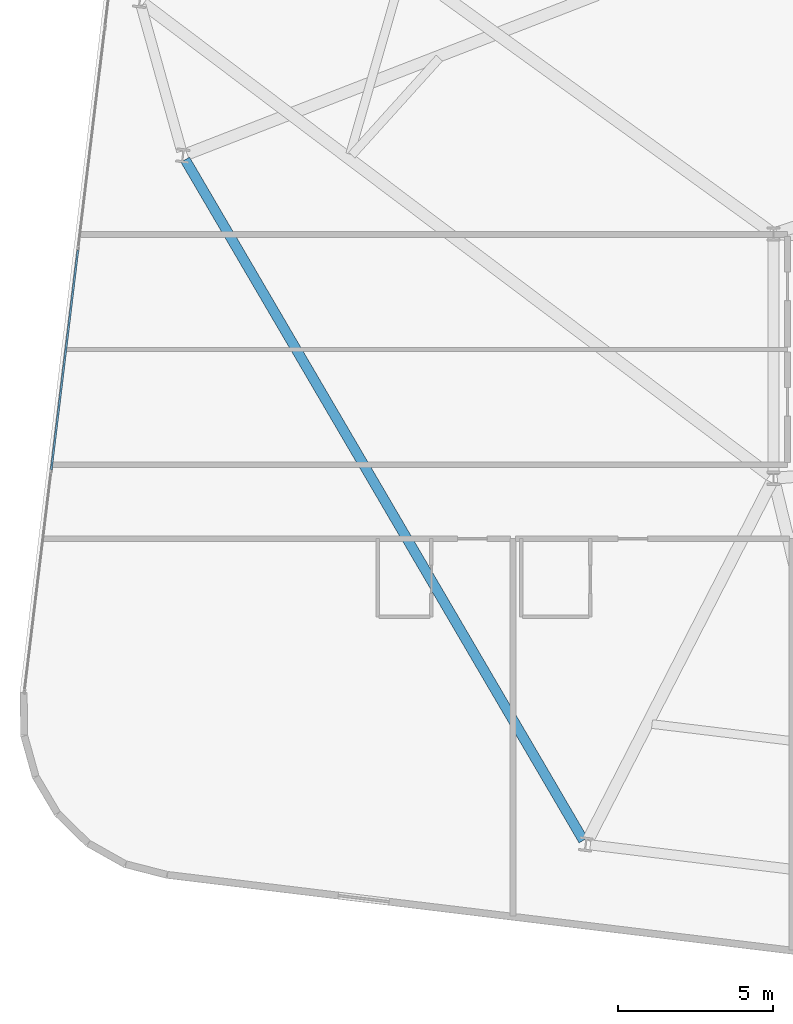
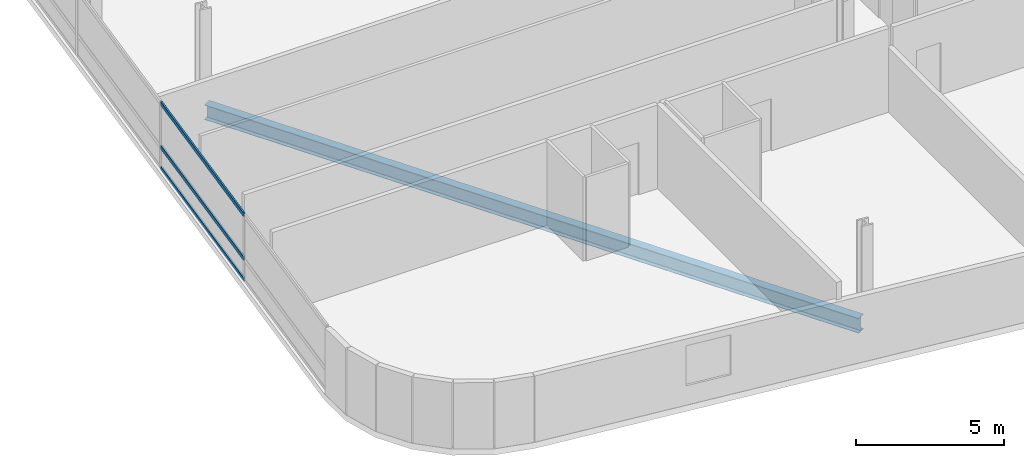
# One storey, part 5 of 26: 3 members, 1 beam, 1 element without a shape of its own.
"""IFC4 building model written with IfcOpenShell, lengths in metres."""

from ifc_helpers import new_model, si_unit, direction, frame, origin, origin_2d, place, context, subcontext, project, spatial, hollow_rectangle, i_section, extrude, material, layer, layer_set, material_profile, profile_set, type_object, element, aggregate, save


model = new_model("IFC4")

# Units and contexts
model_context = context("Model", 3, precision=1e-05, world=origin(), true_north=direction((0.0, 1.0)))
body_context = subcontext(model_context, "Body", "Model", "MODEL_VIEW")
ifc_project = project(units=[si_unit("LENGTHUNIT", "METRE"), si_unit("AREAUNIT", "SQUARE_METRE"), si_unit("VOLUMEUNIT", "CUBIC_METRE"), si_unit("PLANEANGLEUNIT", "RADIAN"), si_unit("MASSUNIT", "GRAM", prefix="KILO")], contexts=[model_context])

# Site, building, storey
site_placement = place(None, origin())
site = spatial("IfcSite", under=ifc_project, at=site_placement, CompositionType="ELEMENT")
building_placement = place(site_placement, origin())
building = spatial("IfcBuilding", under=site, at=building_placement, Name="Varnelok Gate Tower", CompositionType="ELEMENT")
storey_placement = place(building_placement, frame((0.0, 0.0, 147.60009765625)))
storey = spatial("IfcBuildingStorey", under=building, at=storey_placement, Name="L37", CompositionType="ELEMENT", Elevation=147.60009765625)

# Beam
ifc_material_1 = material(Name="Structural Steel ASTM A992 Grade 50", Category="steel")
ifc_material_profile_1 = material_profile(ifc_material_1, i_section(OverallWidth=0.323974609375, OverallDepth=0.611083984375, WebThickness=0.0126953125, FlangeThickness=0.01904296875, FilletRadius=0.01806640625, at=origin_2d()), Name="W24X104")
ifc_profile_set_1 = profile_set([ifc_material_profile_1], Name="Structural Steel ASTM A992 Grade 50")
beam_type = type_object("IfcBeamType", Name="BM-SPN-W24X104", PredefinedType="SPANDREL", material=ifc_profile_set_1)
beam_placement = place(storey_placement, frame((5.43115234375, 29.072021484375, -0.5556640625), z_axis=(0.504960797965, -0.863142278259, 0.0), x_axis=(0.863142278259, 0.504960797965, 0.0)))
element("IfcBeam", 1, at=beam_placement, inside=storey, type_object=beam_type, Name="L37 Perimeter Spandrel Beam 16", PredefinedType="SPANDREL", context=body_context, shape_type="SweptSolid", body=[
    extrude(i_section(OverallWidth=0.323974609375, OverallDepth=0.611083984375, WebThickness=0.0126953125, FlangeThickness=0.01904296875, FilletRadius=0.01806640625, at=origin_2d()), origin(), (0.0, 0.0, 1.0), 25.425537109375),
])

# Curtain wall, members
ifc_material_2 = material(Name="Anodized Aluminum Alloy 6063-T6", Category="aluminium")
ifc_layer = layer(ifc_material_2, 0.179931640625)
ifc_layer_set = layer_set([ifc_layer], Name="Anodized Aluminum Alloy 6063-T6")
curtain_wall_type = type_object("IfcCurtainWallType", Name="CW3-HOTEL-VISION", PredefinedType="USERDEFINED", material=ifc_layer_set)
curtain_wall_placement = place(storey_placement, origin())
curtain_wall = element("IfcCurtainWall", 2, at=curtain_wall_placement, inside=storey, type_object=curtain_wall_type, Name="L37 West End Vision Curtain Wall", ObjectType="UNITISED CURTAIN WALL", PredefinedType="USERDEFINED")
ifc_material_profile_2 = material_profile(ifc_material_2, hollow_rectangle(XDim=0.06494140625, YDim=0.159912109375, WallThickness=0.00390625, at=origin_2d()), Name="ALU160X65X4")
ifc_profile_set_2 = profile_set([ifc_material_profile_2], Name="Anodized Aluminum Alloy 6063-T6")
member_type = type_object("IfcMemberType", Name="CW-TRAN-160", PredefinedType="USERDEFINED", material=ifc_profile_set_2)
member_1_placement = place(storey_placement, frame((1.113525390625, 19.07080078125, 0.032470703125), z_axis=(0.120344652138, 0.992732171687, 0.0), x_axis=(-0.992732171687, 0.120344652138, 0.0)))
member_1 = element("IfcMember", 3, at=member_1_placement, type_object=member_type, Name="CW3 transom 2.1", ObjectType="TRANSOM", PredefinedType="USERDEFINED", context=body_context, shape_type="SweptSolid", body=[
    extrude(hollow_rectangle(XDim=0.06494140625, YDim=0.159912109375, WallThickness=0.00390625, at=origin_2d()), origin(), (0.0, 0.0, 1.0), 7.134765625),
])
member_2_placement = place(storey_placement, frame((1.113525390625, 19.07080078125, 0.89990234375), z_axis=(0.120344652138, 0.992732171687, 0.0), x_axis=(-0.992732171687, 0.120344652138, 0.0)))
member_2 = element("IfcMember", 4, at=member_2_placement, type_object=member_type, Name="CW3 transom 2.2", ObjectType="TRANSOM", PredefinedType="USERDEFINED", context=body_context, shape_type="SweptSolid", body=[
    extrude(hollow_rectangle(XDim=0.06494140625, YDim=0.159912109375, WallThickness=0.00390625, at=origin_2d()), origin(), (0.0, 0.0, 1.0), 7.134765625),
])
member_3_placement = place(storey_placement, frame((1.113525390625, 19.07080078125, 2.697509765625), z_axis=(0.120344652138, 0.992732171687, 0.0), x_axis=(-0.992732171687, 0.120344652138, 0.0)))
member_3 = element("IfcMember", 5, at=member_3_placement, type_object=member_type, Name="CW3 transom 2.3", ObjectType="TRANSOM", PredefinedType="USERDEFINED", context=body_context, shape_type="SweptSolid", body=[
    extrude(hollow_rectangle(XDim=0.06494140625, YDim=0.159912109375, WallThickness=0.00390625, at=origin_2d()), origin(), (0.0, 0.0, 1.0), 7.134765625),
])
aggregate(curtain_wall, [member_1, member_2, member_3])

save(model, "model.ifc")
